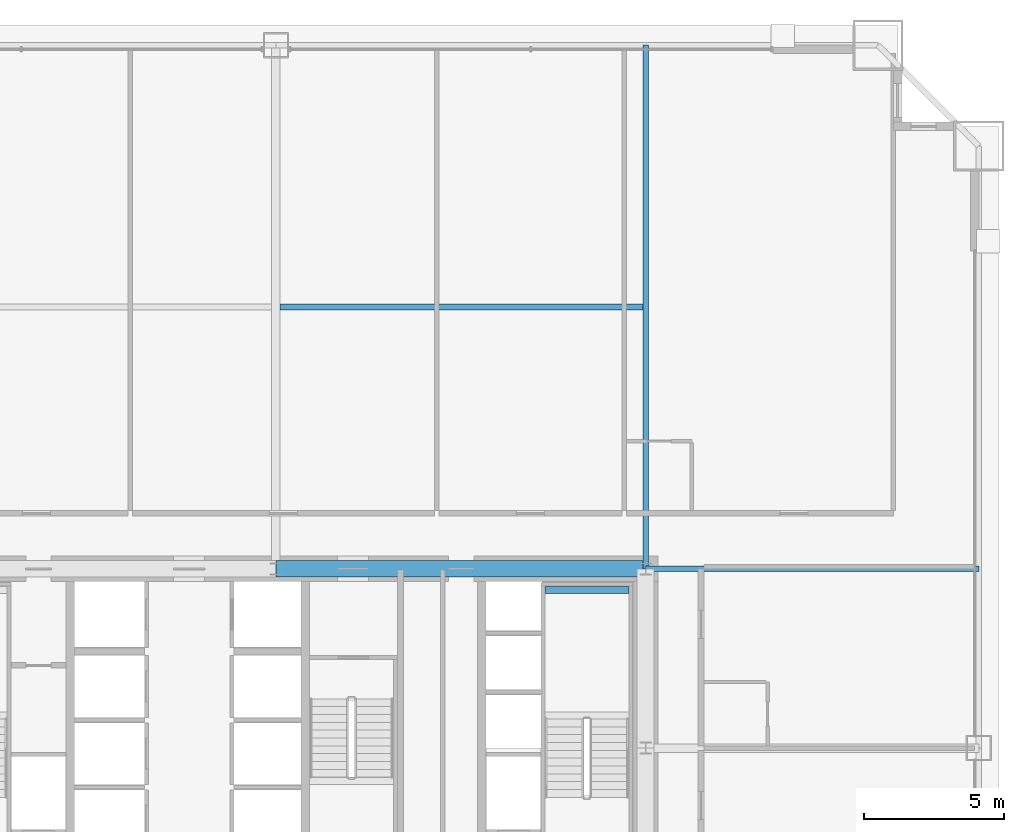
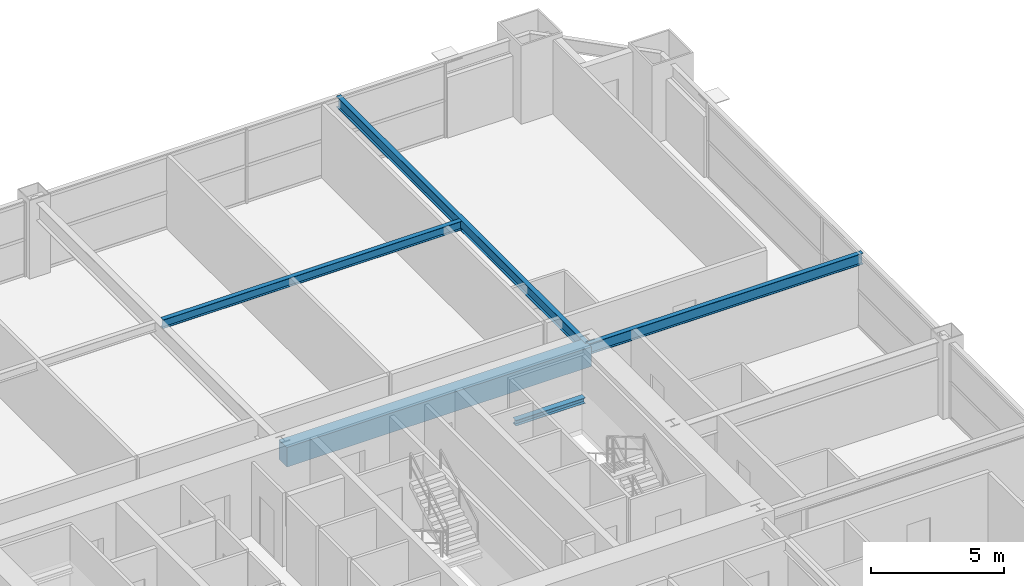
# One storey, part 33 of 46: 5 beams.
"""IFC4 building model written with IfcOpenShell, lengths in metres."""

from ifc_helpers import new_model, si_unit, direction, frame, origin, origin_2d, place, context, subcontext, project, spatial, rectangle, i_section, extrude, source, transform, mapped, material, material_profile, profile_set, type_object, element, save


model = new_model("IFC4")

# Units and contexts
model_context = context("Model", 3, precision=1e-05, world=origin(), true_north=direction((0.0, 1.0)))
body_context = subcontext(model_context, "Body", "Model", "MODEL_VIEW")
ifc_project = project(units=[si_unit("LENGTHUNIT", "METRE"), si_unit("AREAUNIT", "SQUARE_METRE"), si_unit("VOLUMEUNIT", "CUBIC_METRE"), si_unit("PLANEANGLEUNIT", "RADIAN"), si_unit("MASSUNIT", "GRAM", prefix="KILO"), si_unit("THERMODYNAMICTEMPERATUREUNIT", "KELVIN"), si_unit("POWERUNIT", "WATT")], contexts=[model_context])

# Site, building, storey
site_placement = place(None, origin())
site = spatial("IfcSite", under=ifc_project, at=site_placement, CompositionType="ELEMENT")
building_placement = place(site_placement, origin())
building = spatial("IfcBuilding", under=site, at=building_placement, Name="Yuzanri Waterfront Tower", CompositionType="ELEMENT")
storey_placement = place(building_placement, frame((0.0, 0.0, 56.800048828125)))
storey = spatial("IfcBuildingStorey", under=building, at=storey_placement, Name="L14", CompositionType="ELEMENT", Elevation=56.800048828125)

# Beams
ifc_material_1 = material(Name="Concrete C60", Category="concrete")
ifc_material_profile_1 = material_profile(ifc_material_1, rectangle(XDim=0.60009765625, YDim=0.89990234375, at=origin_2d()), Name="RC 600x900")
ifc_profile_set_1 = profile_set([ifc_material_profile_1], Name="Concrete C60")
beam_type_1 = type_object("IfcBeamType", Name="Core Coupling Lintel Concrete C60 600x900", PredefinedType="LINTEL", material=ifc_profile_set_1)
shared_shape_1 = source(origin(), body_context, "Body", "SweptSolid", [
    extrude(rectangle(XDim=0.60009765625, YDim=0.89990234375, at=origin_2d()), origin(), (0.0, 0.0, 1.0), 13.199951171875),
])
beam_1_placement = place(storey_placement, frame((37.0, 32.199951171875, 2.929931640625), z_axis=(1.0, 0.0, 0.0), x_axis=(0.0, 1.0, 0.0)))
element("IfcBeam", 1, at=beam_1_placement, inside=storey, type_object=beam_type_1, Name="L14 Core Tie Beam CN2", PredefinedType="LINTEL", context=body_context, shape_type="MappedRepresentation", body=[
    mapped(shared_shape_1, transform((0.0, 0.0, 0.0), scale=1.0)),
])
ifc_material_2 = material(Name="Steel Q355B", Category="steel")
ifc_material_profile_2 = material_profile(ifc_material_2, i_section(OverallWidth=0.199951171875, OverallDepth=0.5, WebThickness=0.010009765625, FlangeThickness=0.01611328125, at=origin_2d()), Name="HN 500x200x10x16")
ifc_profile_set_2 = profile_set([ifc_material_profile_2], Name="Steel Q355B")
beam_type_2 = type_object("IfcBeamType", Name="Secondary Floor Beam Q355B HN 500x200", PredefinedType="BEAM", material=ifc_profile_set_2)
shared_shape_2 = source(origin(), body_context, "Body", "SweptSolid", [
    extrude(i_section(OverallWidth=0.199951171875, OverallDepth=0.5, WebThickness=0.010009765625, FlangeThickness=0.01611328125, at=origin_2d()), origin(), (0.0, 0.0, 1.0), 18.699951171875),
])
beam_2_placement = place(storey_placement, frame((50.199951171875, 32.199951171875, 3.1298828125), z_axis=(0.0, 1.0, 0.0), x_axis=(-1.0, 0.0, 0.0)))
element("IfcBeam", 2, at=beam_2_placement, inside=storey, type_object=beam_type_2, Name="L14 North-East Core Line Beam", PredefinedType="BEAM", context=body_context, shape_type="MappedRepresentation", body=[
    mapped(shared_shape_2, transform((0.0, 0.0, 0.0), scale=1.0)),
])
shared_shape_3 = source(origin(), body_context, "Body", "SweptSolid", [
    extrude(i_section(OverallWidth=0.199951171875, OverallDepth=0.5, WebThickness=0.010009765625, FlangeThickness=0.01611328125, at=origin_2d()), origin(), (0.0, 0.0, 1.0), 11.900146484375),
])
beam_3_placement = place(storey_placement, frame((50.199951171875, 32.199951171875, 3.1298828125), z_axis=(1.0, 0.0, 0.0), x_axis=(0.0, 1.0, 0.0)))
element("IfcBeam", 3, at=beam_3_placement, inside=storey, type_object=beam_type_2, Name="L14 East-North Core Line Beam", PredefinedType="BEAM", context=body_context, shape_type="MappedRepresentation", body=[
    mapped(shared_shape_3, transform((0.0, 0.0, 0.0), scale=1.0)),
])
ifc_material_3 = material(Name="Steel Q355B", Category="steel")
ifc_material_profile_3 = material_profile(ifc_material_3, i_section(OverallWidth=0.199951171875, OverallDepth=0.39990234375, WebThickness=0.008056640625, FlangeThickness=0.012939453125, at=origin_2d()), Name="HN 400x200x8x13")
ifc_profile_set_3 = profile_set([ifc_material_profile_3], Name="Steel Q355B")
beam_type_3 = type_object("IfcBeamType", Name="Floor Joist Q355B HN 400x200", PredefinedType="JOIST", material=ifc_profile_set_3)
shared_shape_4 = source(origin(), body_context, "Body", "SweptSolid", [
    extrude(i_section(OverallWidth=0.199951171875, OverallDepth=0.39990234375, WebThickness=0.008056640625, FlangeThickness=0.012939453125, at=origin_2d()), origin(), (0.0, 0.0, 1.0), 12.9501953125),
])
beam_4_placement = place(storey_placement, frame((37.14990234375, 41.550048828125, 3.179931640625), z_axis=(1.0, 0.0, 0.0), x_axis=(0.0, 1.0, 0.0)))
element("IfcBeam", 4, at=beam_4_placement, inside=storey, type_object=beam_type_3, Name="L14 North Bay Joist E", PredefinedType="JOIST", context=body_context, shape_type="MappedRepresentation", body=[
    mapped(shared_shape_4, transform((0.0, 0.0, 0.0), scale=1.0)),
])
ifc_material_4 = material(Name="Steel Q355B", Category="steel")
ifc_material_profile_4 = material_profile(ifc_material_4, i_section(OverallWidth=0.25, OverallDepth=0.25, WebThickness=0.009033203125, FlangeThickness=0.013916015625, at=origin_2d()), Name="HW 250x250x9x14")
ifc_profile_set_4 = profile_set([ifc_material_profile_4], Name="Steel Q355B")
beam_type_4 = type_object("IfcBeamType", Name="Stair Landing Support Beam Q355B HW 250x250", PredefinedType="BEAM", material=ifc_profile_set_4)
shared_shape_5 = source(origin(), body_context, "Body", "SweptSolid", [
    extrude(i_section(OverallWidth=0.25, OverallDepth=0.25, WebThickness=0.009033203125, FlangeThickness=0.013916015625, at=origin_2d()), origin(), (0.0, 0.0, 1.0), 3.0),
])
beam_5_placement = place(storey_placement, frame((46.60009765625, 31.449951171875, 1.474853515625), z_axis=(1.0, 0.0, 0.0), x_axis=(0.0, 1.0, 0.0)))
element("IfcBeam", 5, at=beam_5_placement, inside=storey, type_object=beam_type_4, Name="L14 Stair Landing Support Beam ST-02-L14-L1-2", PredefinedType="BEAM", context=body_context, shape_type="MappedRepresentation", body=[
    mapped(shared_shape_5, transform((0.0, 0.0, 0.0), scale=1.0)),
])

save(model, "model.ifc")
